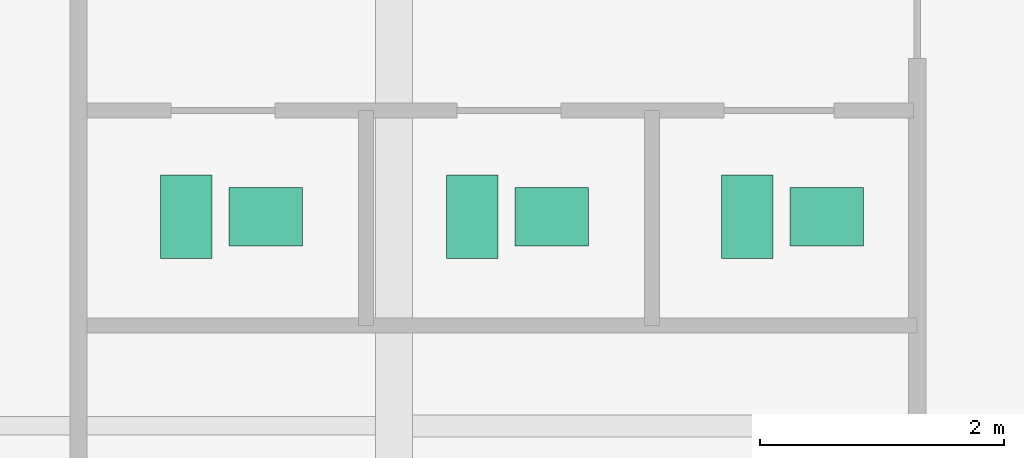
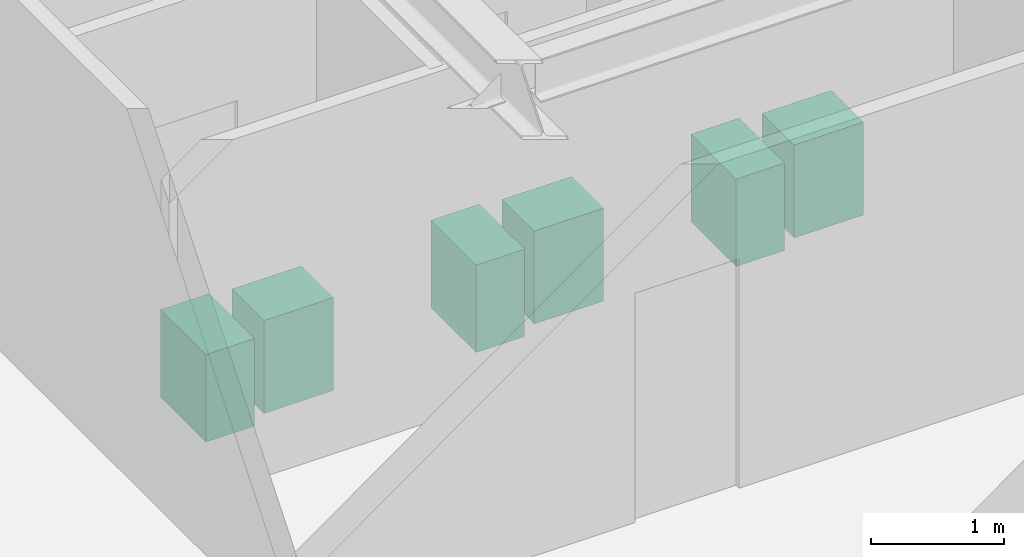
# One storey, part 25 of 25: 6 sanitary terminals.
"""IFC4 building model written with IfcOpenShell, lengths in metres."""

from ifc_helpers import new_model, si_unit, direction, frame, origin, origin_2d, place, context, subcontext, project, spatial, rectangle, extrude, source, transform, mapped, material, type_object, type_shapes, element, save


model = new_model("IFC4")

# Units and contexts
model_context = context("Model", 3, precision=1e-05, world=origin(), true_north=direction((0.0, 1.0)))
body_context = subcontext(model_context, "Body", "Model", "MODEL_VIEW")
ifc_project = project(units=[si_unit("LENGTHUNIT", "METRE"), si_unit("AREAUNIT", "SQUARE_METRE"), si_unit("VOLUMEUNIT", "CUBIC_METRE"), si_unit("PLANEANGLEUNIT", "RADIAN"), si_unit("MASSUNIT", "GRAM", prefix="KILO")], contexts=[model_context])

# Site, building, storey
site_placement = place(None, origin())
site = spatial("IfcSite", under=ifc_project, at=site_placement, CompositionType="ELEMENT")
building_placement = place(site_placement, origin())
building = spatial("IfcBuilding", under=site, at=building_placement, Name="Krantzveldt Concourse Tower", CompositionType="ELEMENT")
storey_placement = place(building_placement, frame((0.0, 0.0, 215.199951171875)))
storey = spatial("IfcBuildingStorey", under=building, at=storey_placement, Name="L52", CompositionType="ELEMENT", Elevation=215.199951171875)

# Sanitary terminals
ifc_material = material(Name="Vitreous china", Category="ceramic")
sanitary_terminal_type_1 = type_object("IfcSanitaryTerminalType", Name="SAN-WC-SUITE", PredefinedType="TOILETPAN", material=ifc_material)
shared_shape_1 = source(origin(), body_context, "Body", "SweptSolid", [
    extrude(rectangle(XDim=0.419921875, YDim=0.679931640625, at=origin_2d()), origin(), (0.0, 0.0, 1.0), 0.800048828125),
])
type_shapes(sanitary_terminal_type_1, [shared_shape_1])
for number, where, z_axis, x_axis, name in (
    (1, (28.89990234375, 31.909912109375, 0.0), (0.0, 0.0, 1.0), (1.0, 0.0, 0.0), "WC-SP-L52-WCM"),
    (2, (31.239990234375, 31.909912109375, 0.0), (0.0, 0.0, 1.0), (1.0, 0.0, 0.0), "WC-SP-L52-WCF"),
    (3, (33.489990234375, 31.909912109375, 0.0), (0.0, 0.0, 1.0), (1.0, 0.0, 0.0), "WC-SP-L52-WCA"),
):
    element("IfcSanitaryTerminal", number, at=place(storey_placement, frame(where, z_axis=z_axis, x_axis=x_axis)), inside=storey, type_object=sanitary_terminal_type_1, Name=name, PredefinedType="TOILETPAN", context=body_context, shape_type="MappedRepresentation", body=[
        mapped(shared_shape_1, transform((0.0, 0.0, 0.0), x_axis=(1.0, 0.0, 0.0), y_axis=(0.0, 1.0, 0.0), z_axis=(0.0, 0.0, 1.0), scale=1.0)),
    ])
sanitary_terminal_type_2 = type_object("IfcSanitaryTerminalType", Name="SAN-BASIN-600", PredefinedType="WASHHANDBASIN", material=ifc_material)
shared_shape_2 = source(origin(), body_context, "Body", "SweptSolid", [
    extrude(rectangle(XDim=0.60009765625, YDim=0.47998046875, at=origin_2d()), origin(), (0.0, 0.0, 1.0), 0.85009765625),
])
type_shapes(sanitary_terminal_type_2, [shared_shape_2])
for number, where, z_axis, x_axis, name in (
    (4, (29.550048828125, 31.909912109375, 0.0048828125), (0.0, 0.0, 1.0), (1.0, 0.0, 0.0), "BSN-SP-L52-WCM"),
    (5, (31.889892578125, 31.909912109375, 0.0048828125), (0.0, 0.0, 1.0), (1.0, 0.0, 0.0), "BSN-SP-L52-WCF"),
    (6, (34.139892578125, 31.909912109375, 0.0048828125), (0.0, 0.0, 1.0), (1.0, 0.0, 0.0), "BSN-SP-L52-WCA"),
):
    element("IfcSanitaryTerminal", number, at=place(storey_placement, frame(where, z_axis=z_axis, x_axis=x_axis)), inside=storey, type_object=sanitary_terminal_type_2, Name=name, PredefinedType="WASHHANDBASIN", context=body_context, shape_type="MappedRepresentation", body=[
        mapped(shared_shape_2, transform((0.0, 0.0, 0.0), x_axis=(1.0, 0.0, 0.0), y_axis=(0.0, 1.0, 0.0), z_axis=(0.0, 0.0, 1.0), scale=1.0)),
    ])

save(model, "model.ifc")
